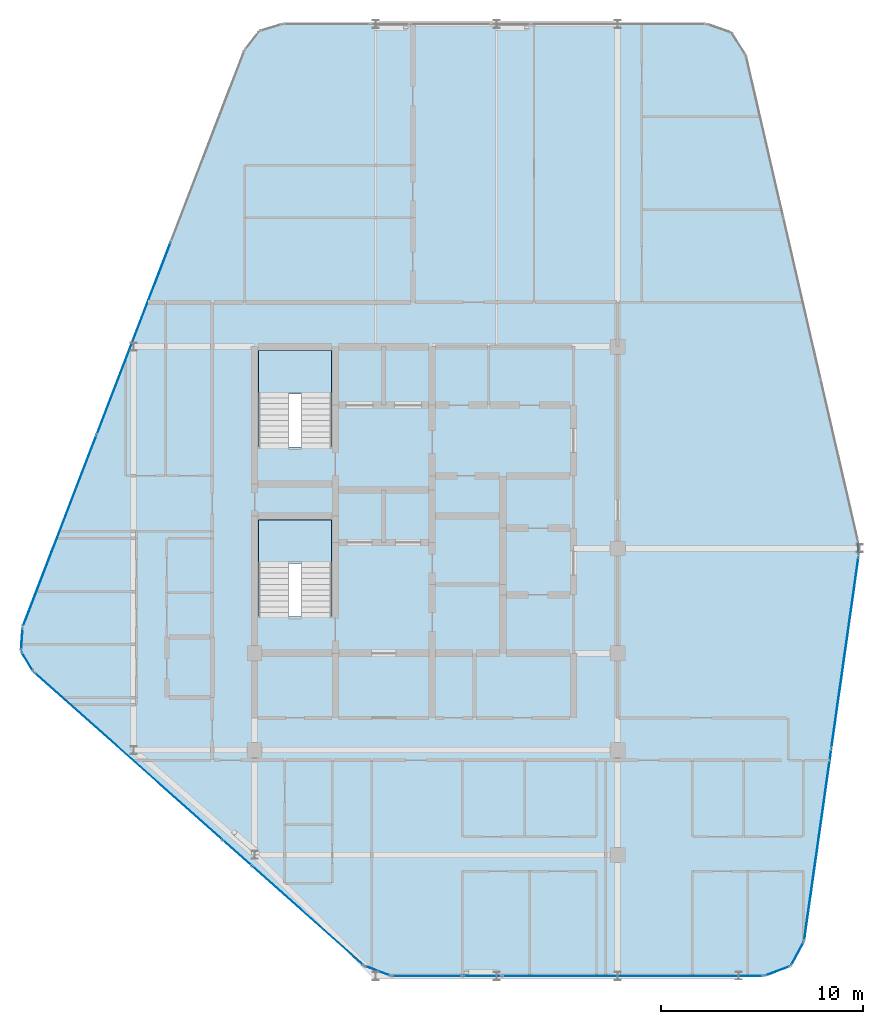
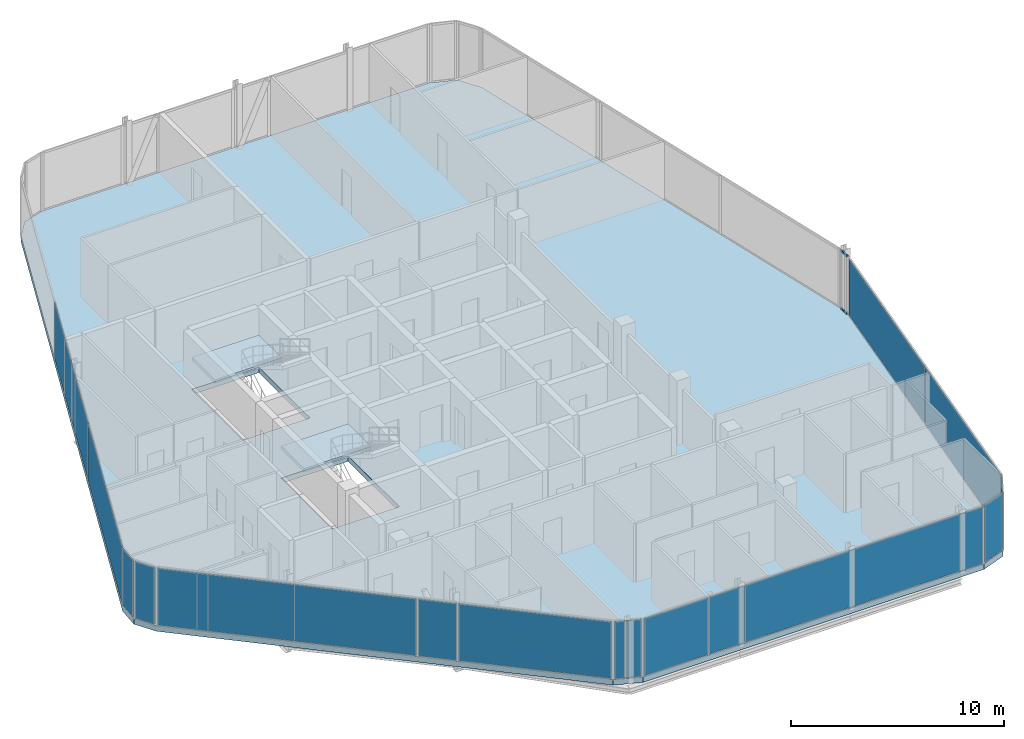
# One storey, part 20 of 27: 15 plates, 3 slabs, 2 members, 16 elements without a shape of their own.
"""IFC4 building model written with IfcOpenShell, lengths in metres."""

from ifc_helpers import new_model, si_unit, direction, frame, origin, origin_2d, place, context, subcontext, project, spatial, polyline, rectangle, hollow_rectangle, outline, extrude, material, layer, layer_set, material_profile, profile_set, type_object, element, aggregate, save


model = new_model("IFC4")

# Units and contexts
model_context = context("Model", 3, precision=1e-05, world=origin(), true_north=direction((0.0, 1.0)))
body_context = subcontext(model_context, "Body", "Model", "MODEL_VIEW")
ifc_project = project(units=[si_unit("LENGTHUNIT", "METRE"), si_unit("AREAUNIT", "SQUARE_METRE"), si_unit("VOLUMEUNIT", "CUBIC_METRE"), si_unit("PLANEANGLEUNIT", "RADIAN"), si_unit("MASSUNIT", "GRAM", prefix="KILO")], contexts=[model_context])

# Site, building, storey
site_placement = place(None, origin())
site = spatial("IfcSite", under=ifc_project, at=site_placement, CompositionType="ELEMENT")
building_placement = place(site_placement, origin())
building = spatial("IfcBuilding", under=site, at=building_placement, Name="Keshet Zoharim Tower", CompositionType="ELEMENT")
storey_placement = place(building_placement, frame((0.0, 0.0, 254.699951171875)))
storey = spatial("IfcBuildingStorey", under=building, at=storey_placement, Name="L63", CompositionType="ELEMENT", Elevation=254.699951171875)

# Curtain wall, members
ifc_material_1 = material(Name="Aluminium 6063-T6", Category="aluminium")
ifc_layer_1 = layer(ifc_material_1, 0.260009765625)
ifc_layer_set_1 = layer_set([ifc_layer_1], Name="Aluminium 6063-T6")
curtain_wall_type = type_object("IfcCurtainWallType", Name="CW-SYS-06", PredefinedType="NOTDEFINED", material=ifc_layer_set_1)
curtain_wall_1_placement = place(storey_placement, origin())
curtain_wall_1 = element("IfcCurtainWall", 1, at=curtain_wall_1_placement, inside=storey, type_object=curtain_wall_type, Name="L63 Unitised Curtain Wall 10", PredefinedType="NOTDEFINED")
ifc_material_profile = material_profile(ifc_material_1, hollow_rectangle(XDim=0.074951171875, YDim=0.1201171875, WallThickness=0.00390625, at=origin_2d()), Name="TRN-75x120")
ifc_profile_set = profile_set([ifc_material_profile], Name="Aluminium 6063-T6")
member_type = type_object("IfcMemberType", Name="CWT-T12", PredefinedType="USERDEFINED", material=ifc_profile_set)
member_1_placement = place(storey_placement, frame((44.9189453125, 28.192138671875, 0.03515625), z_axis=(0.043813905352, -0.99903970977, 0.0), x_axis=(0.99903970977, 0.043813905352, 0.0)))
member_1 = element("IfcMember", 2, at=member_1_placement, type_object=member_type, Name="CW-06 transom 1.1", ObjectType="TRANSOM", PredefinedType="USERDEFINED", context=body_context, shape_type="SweptSolid", body=[
    extrude(hollow_rectangle(XDim=0.074951171875, YDim=0.1201171875, WallThickness=0.00390625, at=origin_2d()), origin(), (0.0, 0.0, 1.0), 0.590576171875),
])
member_2_placement = place(storey_placement, frame((44.9189453125, 28.192138671875, 3.35498046875), z_axis=(0.043813905352, -0.99903970977, 0.0), x_axis=(0.99903970977, 0.043813905352, 0.0)))
member_2 = element("IfcMember", 3, at=member_2_placement, type_object=member_type, Name="CW-06 transom 1.2", ObjectType="TRANSOM", PredefinedType="USERDEFINED", context=body_context, shape_type="SweptSolid", body=[
    extrude(hollow_rectangle(XDim=0.074951171875, YDim=0.1201171875, WallThickness=0.00390625, at=origin_2d()), origin(), (0.0, 0.0, 1.0), 0.590576171875),
])
aggregate(curtain_wall_1, [member_1, member_2])

# Curtain wall, plate
curtain_wall_2_placement = place(storey_placement, origin())
curtain_wall_2 = element("IfcCurtainWall", 4, at=curtain_wall_2_placement, inside=storey, type_object=curtain_wall_type, Name="L63 Unitised Curtain Wall 01", PredefinedType="NOTDEFINED")
ifc_material_2 = material(Name="Insulated Low-E Clear Glass", Category="glass")
ifc_layer_2 = layer(ifc_material_2, 0.028076171875)
ifc_layer_set_2 = layer_set([ifc_layer_2], Name="Insulated Low-E Clear Glass")
plate_type_1 = type_object("IfcPlateType", Name="CWP-03", PredefinedType="CURTAIN_PANEL", material=ifc_layer_set_2)
plate_1_placement = place(storey_placement, frame((3.7275390625, 22.291015625, 0.070068359375), z_axis=(0.0, 0.0, 1.0), x_axis=(-0.515604947933, 0.856826433805, 0.0)))
plate_1 = element("IfcPlate", 5, at=plate_1_placement, type_object=plate_type_1, Name="CW-06 panel 1.1", PredefinedType="CURTAIN_PANEL", context=body_context, shape_type="SweptSolid", body=[
    extrude(rectangle(XDim=1.052734375, YDim=0.028076171875, at=origin_2d()), origin(), (0.0, 0.0, 1.0), 3.25),
])
aggregate(curtain_wall_2, [plate_1])

curtain_wall_3_placement = place(storey_placement, origin())
curtain_wall_3 = element("IfcCurtainWall", 6, at=curtain_wall_3_placement, inside=storey, type_object=curtain_wall_type, Name="L63 Unitised Curtain Wall 02", PredefinedType="NOTDEFINED")
plate_2_placement = place(storey_placement, frame((3.45849609375, 23.3974609375, 0.070068359375), z_axis=(0.0, 0.0, 1.0), x_axis=(0.064516859374, 0.997916617186, 0.0)))
plate_2 = element("IfcPlate", 7, at=plate_2_placement, type_object=plate_type_1, Name="CW-06 panel 1.1", PredefinedType="CURTAIN_PANEL", context=body_context, shape_type="SweptSolid", body=[
    extrude(rectangle(XDim=1.053466796875, YDim=0.028076171875, at=origin_2d()), origin(), (0.0, 0.0, 1.0), 3.25),
])
aggregate(curtain_wall_3, [plate_2])

# Curtain wall, plates
curtain_wall_4_placement = place(storey_placement, origin())
curtain_wall_4 = element("IfcCurtainWall", 8, at=curtain_wall_4_placement, inside=storey, type_object=curtain_wall_type, Name="L63 Unitised Curtain Wall 03", PredefinedType="NOTDEFINED")
plate_3_placement = place(storey_placement, frame((5.33837890625, 28.7802734375, 0.070068359375), z_axis=(0.0, 0.0, 1.0), x_axis=(0.358990003907, 0.933341404361, 0.0)))
plate_3 = element("IfcPlate", 9, at=plate_3_placement, type_object=plate_type_1, Name="CW-06 panel 1.1", PredefinedType="CURTAIN_PANEL", context=body_context, shape_type="SweptSolid", body=[
    extrude(rectangle(XDim=10.1181640625, YDim=0.028076171875, at=origin_2d()), origin(), (0.0, 0.0, 1.0), 3.25),
])
plate_4_placement = place(storey_placement, frame((9.001953125, 38.305419921875, 0.070068359375), z_axis=(0.0, 0.0, 1.0), x_axis=(0.358990003907, 0.933341404361, 0.0)))
plate_4 = element("IfcPlate", 10, at=plate_4_placement, type_object=plate_type_1, Name="CW-06 panel 2.1", PredefinedType="CURTAIN_PANEL", context=body_context, shape_type="SweptSolid", body=[
    extrude(rectangle(XDim=10.153076171875, YDim=0.028076171875, at=origin_2d()), origin(), (0.0, 0.0, 1.0), 3.25),
])
aggregate(curtain_wall_4, [plate_3, plate_4])

curtain_wall_5_placement = place(storey_placement, origin())
curtain_wall_5 = element("IfcCurtainWall", 11, at=curtain_wall_5_placement, inside=storey, type_object=curtain_wall_type, Name="L63 Unitised Curtain Wall 11", PredefinedType="NOTDEFINED")
plate_5_placement = place(storey_placement, frame((44.269287109375, 22.736572265625, 0.070068359375), z_axis=(0.0, 0.0, 1.0), x_axis=(-0.140137464177, -0.990132057422, 0.0)))
plate_5 = element("IfcPlate", 12, at=plate_5_placement, type_object=plate_type_1, Name="CW-06 panel 1.1", PredefinedType="CURTAIN_PANEL", context=body_context, shape_type="SweptSolid", body=[
    extrude(rectangle(XDim=9.546142578125, YDim=0.028076171875, at=origin_2d()), origin(), (0.0, 0.0, 1.0), 3.25),
])
plate_6_placement = place(storey_placement, frame((42.921630859375, 13.21533203125, 0.070068359375), z_axis=(0.0, 0.0, 1.0), x_axis=(-0.140137464177, -0.990132057422, 0.0)))
plate_6 = element("IfcPlate", 13, at=plate_6_placement, type_object=plate_type_1, Name="CW-06 panel 2.1", PredefinedType="CURTAIN_PANEL", context=body_context, shape_type="SweptSolid", body=[
    extrude(rectangle(XDim=9.546142578125, YDim=0.028076171875, at=origin_2d()), origin(), (0.0, 0.0, 1.0), 3.25),
])
aggregate(curtain_wall_5, [plate_5, plate_6])

# Curtain wall, plate
curtain_wall_6_placement = place(storey_placement, origin())
curtain_wall_6 = element("IfcCurtainWall", 14, at=curtain_wall_6_placement, inside=storey, type_object=curtain_wall_type, Name="L63 Unitised Curtain Wall 12", PredefinedType="NOTDEFINED")
plate_7_placement = place(storey_placement, frame((41.908447265625, 7.804931640625, 0.070068359375), z_axis=(0.0, 0.0, 1.0), x_axis=(-0.477800955789, -0.878468125004, 0.0)))
plate_7 = element("IfcPlate", 15, at=plate_7_placement, type_object=plate_type_1, Name="CW-06 panel 1.1", PredefinedType="CURTAIN_PANEL", context=body_context, shape_type="SweptSolid", body=[
    extrude(rectangle(XDim=1.26025390625, YDim=0.028076171875, at=origin_2d()), origin(), (0.0, 0.0, 1.0), 3.25),
])
aggregate(curtain_wall_6, [plate_7])

curtain_wall_7_placement = place(storey_placement, origin())
curtain_wall_7 = element("IfcCurtainWall", 16, at=curtain_wall_7_placement, inside=storey, type_object=curtain_wall_type, Name="L63 Unitised Curtain Wall 13", PredefinedType="NOTDEFINED")
plate_8_placement = place(storey_placement, frame((40.91845703125, 6.945068359375, 0.070068359375), z_axis=(0.0, 0.0, 1.0), x_axis=(-0.936710343781, -0.350105315376, 0.0)))
plate_8 = element("IfcPlate", 17, at=plate_8_placement, type_object=plate_type_1, Name="CW-06 panel 1.1", PredefinedType="CURTAIN_PANEL", context=body_context, shape_type="SweptSolid", body=[
    extrude(rectangle(XDim=1.259521484375, YDim=0.028076171875, at=origin_2d()), origin(), (0.0, 0.0, 1.0), 3.25),
])
aggregate(curtain_wall_7, [plate_8])

curtain_wall_8_placement = place(storey_placement, origin())
curtain_wall_8 = element("IfcCurtainWall", 18, at=curtain_wall_8_placement, inside=storey, type_object=curtain_wall_type, Name="L63 Unitised Curtain Wall 14", PredefinedType="NOTDEFINED")
plate_9_placement = place(storey_placement, frame((33.743896484375, 6.699951171875, 0.070068359375), z_axis=(0.0, 0.0, 1.0), x_axis=(-1.0, 0.0, 0.0)))
plate_9 = element("IfcPlate", 19, at=plate_9_placement, type_object=plate_type_1, Name="CW-06 panel 1.1", PredefinedType="CURTAIN_PANEL", context=body_context, shape_type="SweptSolid", body=[
    extrude(rectangle(XDim=12.898193359375, YDim=0.028076171875, at=origin_2d()), origin(), (0.0, 0.0, 1.0), 3.25),
])
aggregate(curtain_wall_8, [plate_9])

curtain_wall_9_placement = place(storey_placement, origin())
curtain_wall_9 = element("IfcCurtainWall", 20, at=curtain_wall_9_placement, inside=storey, type_object=curtain_wall_type, Name="L63 Unitised Curtain Wall 14 Part 3", PredefinedType="NOTDEFINED")
plate_10_placement = place(storey_placement, frame((23.552490234375, 6.699951171875, 0.070068359375), z_axis=(0.0, 0.0, 1.0), x_axis=(-1.0, 0.0, 0.0)))
plate_10 = element("IfcPlate", 21, at=plate_10_placement, type_object=plate_type_1, Name="CW-06 panel 1.1", PredefinedType="CURTAIN_PANEL", context=body_context, shape_type="SweptSolid", body=[
    extrude(rectangle(XDim=3.4453125, YDim=0.028076171875, at=origin_2d()), origin(), (0.0, 0.0, 1.0), 3.25),
])
aggregate(curtain_wall_9, [plate_10])

curtain_wall_10_placement = place(storey_placement, origin())
curtain_wall_10 = element("IfcCurtainWall", 22, at=curtain_wall_10_placement, inside=storey, type_object=curtain_wall_type, Name="L63 Unitised Curtain Wall 15", PredefinedType="NOTDEFINED")
plate_11_placement = place(storey_placement, frame((21.095947265625, 6.952392578125, 0.070068359375), z_axis=(0.0, 0.0, 1.0), x_axis=(-0.934699418314, 0.355439161326, 0.0)))
plate_11 = element("IfcPlate", 23, at=plate_11_placement, type_object=plate_type_1, Name="CW-06 panel 1.1", PredefinedType="CURTAIN_PANEL", context=body_context, shape_type="SweptSolid", body=[
    extrude(rectangle(XDim=1.28076171875, YDim=0.028076171875, at=origin_2d()), origin(), (0.0, 0.0, 1.0), 3.25),
])
aggregate(curtain_wall_10, [plate_11])

curtain_wall_11_placement = place(storey_placement, origin())
curtain_wall_11 = element("IfcCurtainWall", 24, at=curtain_wall_11_placement, inside=storey, type_object=curtain_wall_type, Name="L63 Unitised Curtain Wall 16", PredefinedType="NOTDEFINED")
plate_12_placement = place(storey_placement, frame((17.634521484375, 9.691650390625, 0.070068359375), z_axis=(0.0, 0.0, 1.0), x_axis=(-0.747410792699, 0.664362180559, 0.0)))
plate_12 = element("IfcPlate", 25, at=plate_12_placement, type_object=plate_type_1, Name="CW-06 panel 1.1", PredefinedType="CURTAIN_PANEL", context=body_context, shape_type="SweptSolid", body=[
    extrude(rectangle(XDim=7.345947265625, YDim=0.028076171875, at=origin_2d()), origin(), (0.0, 0.0, 1.0), 3.25),
])
aggregate(curtain_wall_11, [plate_12])

curtain_wall_12_placement = place(storey_placement, origin())
curtain_wall_12 = element("IfcCurtainWall", 26, at=curtain_wall_12_placement, inside=storey, type_object=curtain_wall_type, Name="L63 Unitised Curtain Wall 16 Part 3", PredefinedType="NOTDEFINED")
plate_13_placement = place(storey_placement, frame((8.7333984375, 17.603515625, 0.070068359375), z_axis=(0.0, 0.0, 1.0), x_axis=(-0.747409318679, 0.664363838836, 0.0)))
plate_13 = element("IfcPlate", 27, at=plate_13_placement, type_object=plate_type_1, Name="CW-06 panel 1.1", PredefinedType="CURTAIN_PANEL", context=body_context, shape_type="SweptSolid", body=[
    extrude(rectangle(XDim=12.432861328125, YDim=0.028076171875, at=origin_2d()), origin(), (0.0, 0.0, 1.0), 3.25),
])
aggregate(curtain_wall_12, [plate_13])

curtain_wall_13_placement = place(storey_placement, origin())
curtain_wall_13 = element("IfcCurtainWall", 28, at=curtain_wall_13_placement, inside=storey, type_object=curtain_wall_type, Name="L63 Unitised Curtain Wall 14 Part 2", PredefinedType="NOTDEFINED")
ifc_material_3 = material(Name="Insulated Aluminium Spandrel Panel", Category="aluminium")
ifc_layer_3 = layer(ifc_material_3, 0.028076171875)
ifc_layer_set_3 = layer_set([ifc_layer_3], Name="Insulated Aluminium Spandrel Panel")
plate_type_2 = type_object("IfcPlateType", Name="CWP-06", PredefinedType="CURTAIN_PANEL", material=ifc_layer_set_3)
plate_14_placement = place(storey_placement, frame((26.284912109375, 6.699951171875, 0.070068359375), z_axis=(0.0, 0.0, 1.0), x_axis=(-1.0, 0.0, 0.0)))
plate_14 = element("IfcPlate", 29, at=plate_14_placement, type_object=plate_type_2, Name="CW-06 spandrel panel 1.1", PredefinedType="CURTAIN_PANEL", context=body_context, shape_type="SweptSolid", body=[
    extrude(rectangle(XDim=1.879638671875, YDim=0.028076171875, at=origin_2d()), origin(), (0.0, 0.0, 1.0), 3.25),
])
aggregate(curtain_wall_13, [plate_14])

curtain_wall_14_placement = place(storey_placement, origin())
curtain_wall_14 = element("IfcCurtainWall", 30, at=curtain_wall_14_placement, inside=storey, type_object=curtain_wall_type, Name="L63 Unitised Curtain Wall 16 Part 2", PredefinedType="NOTDEFINED")
plate_15_placement = place(storey_placement, frame((14.134521484375, 12.802734375, 0.070068359375), z_axis=(0.0, 0.0, 1.0), x_axis=(-0.747431957629, 0.664338369143, 0.0)))
plate_15 = element("IfcPlate", 31, at=plate_15_placement, type_object=plate_type_2, Name="CW-06 spandrel panel 1.1", PredefinedType="CURTAIN_PANEL", context=body_context, shape_type="SweptSolid", body=[
    extrude(rectangle(XDim=1.879638671875, YDim=0.028076171875, at=origin_2d()), origin(), (0.0, 0.0, 1.0), 3.25),
])
aggregate(curtain_wall_14, [plate_15])

# Stair, slab
ifc_material_4 = material(Name="Concrete C50/60", Category="concrete")
stair_type = type_object("IfcStairType", Name="STR-EXIT-135", PredefinedType="HALF_TURN_STAIR", material=ifc_material_4)
stair_1_placement = place(storey_placement, origin())
stair_1 = element("IfcStair", 32, at=stair_1_placement, inside=storey, type_object=stair_type, Name="L63 Enclosed Exit Stair ST-01", PredefinedType="HALF_TURN_STAIR")
ifc_layer_4 = layer(ifc_material_4, 0.199951171875)
ifc_layer_set_4 = layer_set([ifc_layer_4], Name="Concrete C50/60")
slab_type_1 = type_object("IfcSlabType", Name="SLB-LND-200", PredefinedType="LANDING", material=ifc_layer_set_4)
slab_1_placement = place(storey_placement, frame((0.0, 0.0, 1.650146484375)))
slab_1 = element("IfcSlab", 33, at=slab_1_placement, type_object=slab_type_1, Name="ST-01 landing 1", PredefinedType="LANDING", context=body_context, shape_type="SweptSolid", body=[
    extrude(outline(polyline([(15.179931640625, 27.159912109375), (18.820068359375, 27.159912109375), (18.820068359375, 29.320068359375), (15.179931640625, 29.320068359375), (15.179931640625, 27.159912109375)])), origin(), (0.0, 0.0, 1.0), 0.199951171875),
])
aggregate(stair_1, [slab_1])

stair_2_placement = place(storey_placement, origin())
stair_2 = element("IfcStair", 34, at=stair_2_placement, inside=storey, type_object=stair_type, Name="L63 Enclosed Exit Stair ST-02", PredefinedType="HALF_TURN_STAIR")
slab_2_placement = place(storey_placement, frame((0.0, 0.0, 1.650146484375)))
slab_2 = element("IfcSlab", 35, at=slab_2_placement, type_object=slab_type_1, Name="ST-02 landing 1", PredefinedType="LANDING", context=body_context, shape_type="SweptSolid", body=[
    extrude(outline(polyline([(15.179931640625, 35.56005859375), (18.820068359375, 35.56005859375), (18.820068359375, 37.719970703125), (15.179931640625, 37.719970703125), (15.179931640625, 35.56005859375)])), origin(), (0.0, 0.0, 1.0), 0.199951171875),
])
aggregate(stair_2, [slab_2])

# Slab
ifc_layer_5 = layer(ifc_material_4, 0.31005859375)
ifc_layer_set_5 = layer_set([ifc_layer_5], Name="Concrete C50/60")
slab_type_2 = type_object("IfcSlabType", Name="SLB-UPP-240", PredefinedType="FLOOR", material=ifc_layer_set_5)
slab_3_placement = place(storey_placement, frame((0.0, 0.0, -0.31005859375)))
element("IfcSlab", 36, at=slab_3_placement, inside=storey, type_object=slab_type_2, Name="L63 Structural Floor Slab 1", PredefinedType="FLOOR", context=body_context, shape_type="SweptSolid", body=[
    extrude(outline(polyline([(4.034912109375, 21.780029296875), (3.419921875, 22.802001953125), (3.4970703125, 23.992919921875), (14.507080078125, 52.617919921875), (15.240966796875, 53.549072265625), (16.3740234375, 53.89990234375), (37.408935546875, 53.89990234375), (38.654052734375, 53.465087890625), (39.35791015625, 52.35009765625), (44.916015625, 28.261962890625), (44.947998046875, 27.531982421875), (42.242919921875, 8.419921875), (41.573974609375, 7.18994140625), (40.262939453125, 6.699951171875), (21.760009765625, 6.699951171875), (20.431884765625, 7.205078125), (4.034912109375, 21.780029296875)]), holes=[polyline([(15.179931640625, 24.52001953125), (18.820068359375, 24.52001953125), (18.820068359375, 29.320068359375), (15.179931640625, 29.320068359375), (15.179931640625, 24.52001953125)]), polyline([(15.179931640625, 32.919921875), (18.820068359375, 32.919921875), (18.820068359375, 37.719970703125), (15.179931640625, 37.719970703125), (15.179931640625, 32.919921875)])]), origin(), (0.0, 0.0, 1.0), 0.31005859375),
])

save(model, "model.ifc")
